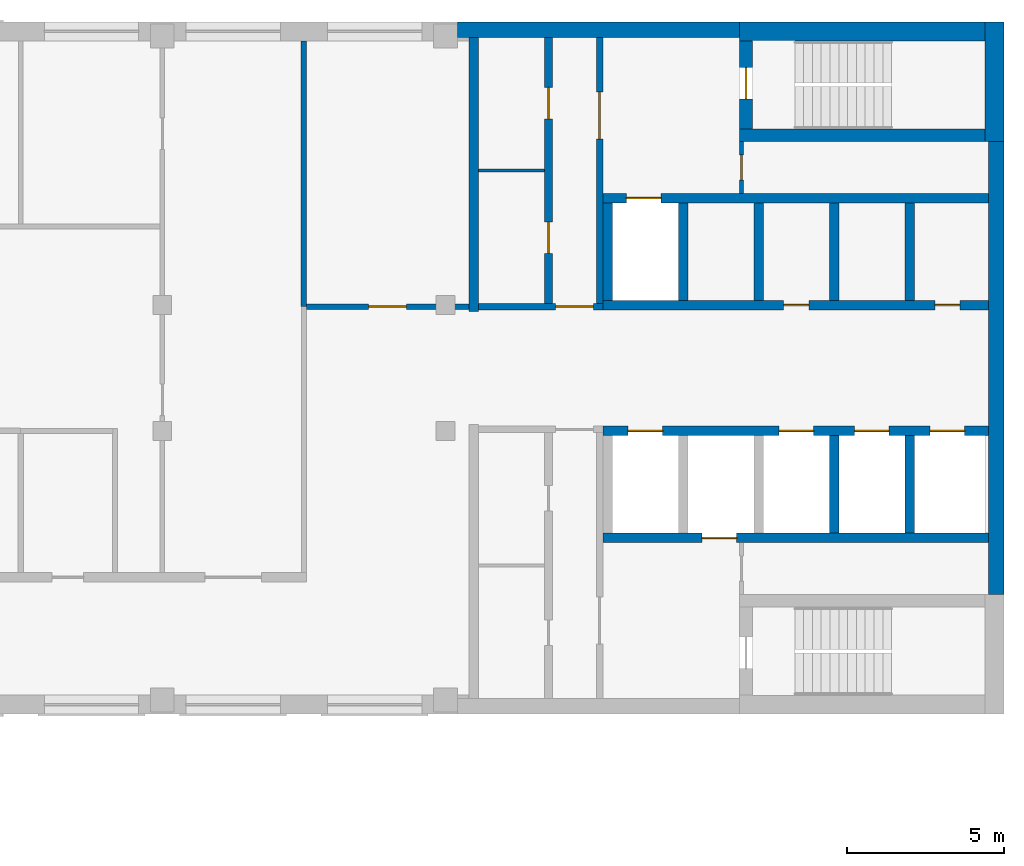
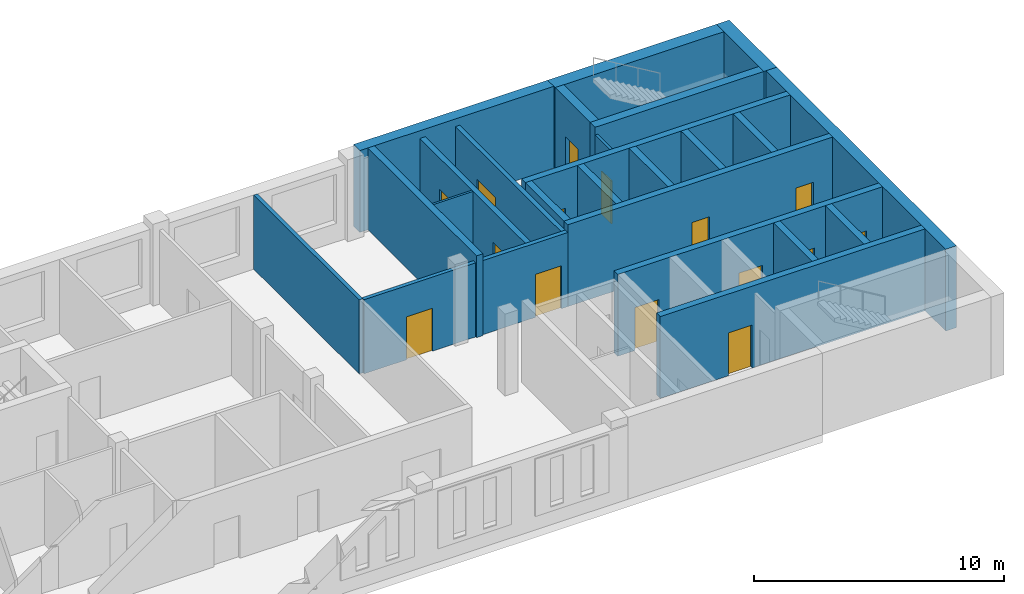
# One storey, part 6 of 8: 25 walls, 15 doors, 15 openings.
"""IFC4 building model written with IfcOpenShell, lengths in metres."""

from ifc_helpers import new_model, si_unit, direction, frame, frame_2d, origin, place, context, subcontext, project, spatial, rectangle, extrude, material, layer, layer_set, type_object, element, fill, save


model = new_model("IFC4")

# Units and contexts
model_context = context("Model", 3, precision=1e-05, world=origin(), true_north=direction((0.0, 1.0)))
body_context = subcontext(model_context, "Body", "Model", "MODEL_VIEW")
ifc_project = project(units=[si_unit("LENGTHUNIT", "METRE"), si_unit("AREAUNIT", "SQUARE_METRE"), si_unit("VOLUMEUNIT", "CUBIC_METRE"), si_unit("PLANEANGLEUNIT", "RADIAN"), si_unit("MASSUNIT", "GRAM", prefix="KILO")], contexts=[model_context])

# Site, building, storey
site_placement = place(None, origin())
site = spatial("IfcSite", under=ifc_project, at=site_placement, CompositionType="ELEMENT")
building_placement = place(site_placement, origin())
building = spatial("IfcBuilding", under=site, at=building_placement, Name="Skarvind Civic Tower", CompositionType="ELEMENT")
storey_placement = place(building_placement, frame((0.0, 0.0, 224.0)))
storey = spatial("IfcBuildingStorey", under=building, at=storey_placement, Name="L53", CompositionType="ELEMENT", Elevation=224.0)

# Wall
ifc_material_1 = material(Name="Acoustic gypsum board on steel studs", Category="steel")
ifc_layer_1 = layer(ifc_material_1, 0.175048828125)
ifc_layer_set_1 = layer_set([ifc_layer_1], Name="ACOUSTIC MEETING-ROOM PARTITION 175")
wall_type_1 = type_object("IfcWallType", Name="ACOUSTIC MEETING-ROOM PARTITION 175", PredefinedType="PARTITIONING", material=ifc_layer_set_1)
wall_1_placement = place(storey_placement, frame((85.75, 129.949951171875, 0.0), z_axis=(0.0, 0.0, 1.0), x_axis=(0.0, 1.0, 0.0)))
element("IfcWall", 1, at=wall_1_placement, inside=storey, type_object=wall_type_1, Name="Partition 53.038", PredefinedType="PARTITIONING", context=body_context, shape_type="SweptSolid", body=[
    extrude(rectangle(XDim=8.449951171875, YDim=0.175048828125, at=frame_2d((4.22509765625, 0.0))), origin(), (0.0, 0.0, 1.0), 3.625),
])

# Wall, opening, door
wall_2_placement = place(storey_placement, frame((85.837890625, 129.949951171875, 0.0), z_axis=(0.0, 0.0, 1.0), x_axis=(1.0, 0.0, 0.0)))
wall_2 = element("IfcWall", 2, at=wall_2_placement, inside=storey, type_object=wall_type_1, Name="Partition 53.039", PredefinedType="PARTITIONING", context=body_context, shape_type="SweptSolid", body=[
    extrude(rectangle(XDim=5.162109375, YDim=0.175048828125, at=frame_2d((2.5810546875, 0.0))), origin(), (0.0, 0.0, 1.0), 3.625),
])
opening_1_placement = place(wall_2_placement, frame((1.970947265625, 0.0, 0.0)))
opening_1 = element("IfcOpeningElement", 3, at=opening_1_placement, cuts=wall_2, Name="Opening L53-D001", PredefinedType="OPENING", context=body_context, shape_type="SweptSolid", body=[
    extrude(rectangle(XDim=1.199951171875, YDim=2.10009765625, at=frame_2d((0.60009765625, 1.050048828125))), frame((0.0, 0.097412109375, 0.0), z_axis=(0.0, -1.0, 0.0), x_axis=(1.0, 0.0, 0.0)), (0.0, 0.0, 1.0), 0.195068359375),
])
ifc_material_2 = material(Name="Timber door leaf", Category="wood")
door_type_1 = type_object("IfcDoorType", Name="DOOR 1200X2100 DOUBLE TIMBER", OperationType="NOTDEFINED", PredefinedType="DOOR", material=ifc_material_2)
door_1_placement = place(opening_1_placement, origin())
door_1 = element("IfcDoor", 4, at=door_1_placement, inside=storey, type_object=door_type_1, Name="Door L53-D001", OperationType="DOUBLE_DOOR_SINGLE_SWING", OverallHeight=2.10009765625, OverallWidth=1.199951171875, PredefinedType="DOOR", context=body_context, shape_type="SweptSolid", body=[
    extrude(rectangle(XDim=1.199951171875, YDim=2.10009765625, at=frame_2d((0.60009765625, 1.050048828125))), frame((0.0, 0.02490234375, 0.0), z_axis=(0.0, -1.0, 0.0), x_axis=(1.0, 0.0, 0.0)), (0.0, 0.0, 1.0), 0.050048828125),
])
fill(opening_1, door_1)

ifc_material_3 = material(Name="Fire-rated masonry partition", Category="masonry")
ifc_layer_2 = layer(ifc_material_3, 0.199951171875)
ifc_layer_set_2 = layer_set([ifc_layer_2], Name="Core enclosure wall 200")
wall_type_2 = type_object("IfcWallType", Name="Core enclosure wall 200", PredefinedType="PARTITIONING", material=ifc_layer_set_2)
wall_3_placement = place(storey_placement, frame((91.300048828125, 129.949951171875, 0.0), z_axis=(0.0, 0.0, 1.0), x_axis=(1.0, 0.0, 0.0)))
wall_3 = element("IfcWall", 5, at=wall_3_placement, inside=storey, type_object=wall_type_2, Name="Core wall C1", PredefinedType="PARTITIONING", context=body_context, shape_type="SweptSolid", body=[
    extrude(rectangle(XDim=3.949951171875, YDim=0.199951171875, at=frame_2d((1.97509765625, 0.0))), origin(), (0.0, 0.0, 1.0), 3.625),
])
opening_2_placement = place(wall_3_placement, frame((2.449951171875, 0.0, 0.0)))
opening_2 = element("IfcOpeningElement", 6, at=opening_2_placement, cuts=wall_3, Name="Opening D-L53-C1-13", PredefinedType="OPENING", context=body_context, shape_type="SweptSolid", body=[
    extrude(rectangle(XDim=1.199951171875, YDim=2.10009765625, at=frame_2d((0.60009765625, 1.050048828125))), frame((0.0, 0.10986328125, 0.0), z_axis=(0.0, -1.0, 0.0), x_axis=(1.0, 0.0, 0.0)), (0.0, 0.0, 1.0), 0.219970703125),
])
ifc_material_4 = material(Name="Fire-rated steel door", Category="steel")
door_type_2 = type_object("IfcDoorType", Name="Core lobby door 1200", OperationType="NOTDEFINED", PredefinedType="DOOR", material=ifc_material_4)
door_2_placement = place(opening_2_placement, origin())
door_2 = element("IfcDoor", 7, at=door_2_placement, inside=storey, type_object=door_type_2, Name="Fire door", OperationType="DOUBLE_DOOR_SINGLE_SWING", OverallHeight=2.10009765625, OverallWidth=1.199951171875, PredefinedType="DOOR", context=body_context, shape_type="SweptSolid", body=[
    extrude(rectangle(XDim=1.199951171875, YDim=2.10009765625, at=frame_2d((0.60009765625, 1.050048828125))), frame((0.0, 0.02490234375, 0.0), z_axis=(0.0, -1.0, 0.0), x_axis=(1.0, 0.0, 0.0)), (0.0, 0.0, 1.0), 0.050048828125),
])
fill(opening_2, door_2)

wall_4_placement = place(storey_placement, frame((95.14990234375, 130.050048828125, 0.0), z_axis=(0.0, 0.0, 1.0), x_axis=(0.0, 1.0, 0.0)))
wall_4 = element("IfcWall", 8, at=wall_4_placement, inside=storey, type_object=wall_type_2, Name="Core wall C1", PredefinedType="PARTITIONING", context=body_context, shape_type="SweptSolid", body=[
    extrude(rectangle(XDim=8.449951171875, YDim=0.199951171875, at=frame_2d((4.22509765625, 0.0))), origin(), (0.0, 0.0, 1.0), 3.625),
])
opening_3_placement = place(wall_4_placement, frame((5.22509765625, 0.0, 0.0)))
opening_3 = element("IfcOpeningElement", 9, at=opening_3_placement, cuts=wall_4, Name="Opening D-L53-C1-14", PredefinedType="OPENING", context=body_context, shape_type="SweptSolid", body=[
    extrude(rectangle(XDim=1.5, YDim=2.10009765625, at=frame_2d((0.75, 1.050048828125))), frame((0.0, 0.10986328125, 0.0), z_axis=(0.0, -1.0, 0.0), x_axis=(1.0, 0.0, 0.0)), (0.0, 0.0, 1.0), 0.219970703125),
])
door_type_3 = type_object("IfcDoorType", Name="Fire door 1500", OperationType="NOTDEFINED", PredefinedType="DOOR", material=ifc_material_4)
door_3_placement = place(opening_3_placement, origin())
door_3 = element("IfcDoor", 10, at=door_3_placement, inside=storey, type_object=door_type_3, Name="Fire door", OperationType="DOUBLE_DOOR_SINGLE_SWING", OverallHeight=2.10009765625, OverallWidth=1.5, PredefinedType="DOOR", context=body_context, shape_type="SweptSolid", body=[
    extrude(rectangle(XDim=1.5, YDim=2.10009765625, at=frame_2d((0.75, 1.050048828125))), frame((0.0, 0.02490234375, 0.0), z_axis=(0.0, -1.0, 0.0), x_axis=(1.0, 0.0, 0.0)), (0.0, 0.0, 1.0), 0.050048828125),
])
fill(opening_3, door_3)

# Wall
ifc_material_5 = material(Name="Fire-rated plasterboard partition")
ifc_layer_3 = layer(ifc_material_5, 0.10009765625)
ifc_layer_set_3 = layer_set([ifc_layer_3], Name="Core partition wall 100")
wall_type_3 = type_object("IfcWallType", Name="Core partition wall 100", PredefinedType="PARTITIONING", material=ifc_layer_set_3)
wall_5_placement = place(storey_placement, frame((91.300048828125, 134.280029296875, 0.0), z_axis=(0.0, 0.0, 1.0), x_axis=(1.0, 0.0, 0.0)))
element("IfcWall", 11, at=wall_5_placement, inside=storey, type_object=wall_type_3, Name="Core wall C1", PredefinedType="PARTITIONING", context=body_context, shape_type="SweptSolid", body=[
    extrude(rectangle(XDim=2.099853515625, YDim=0.10009765625, at=frame_2d((1.0498046875, 0.0))), origin(), (0.0, 0.0, 1.0), 3.625),
])

# Wall, openings, doors
ifc_material_6 = material(Name="Concrete C60", Category="concrete")
ifc_layer_4 = layer(ifc_material_6, 0.300048828125)
ifc_layer_set_4 = layer_set([ifc_layer_4], Name="Core wall 300 C60")
wall_type_4 = type_object("IfcWallType", Name="Core wall 300 C60", PredefinedType="SHEAR", material=ifc_layer_set_4)
wall_6_placement = place(storey_placement, frame((107.5, 130.0, 0.0), z_axis=(0.0, 0.0, 1.0), x_axis=(-1.0, 0.0, 0.0)))
wall_6 = element("IfcWall", 12, at=wall_6_placement, inside=storey, type_object=wall_type_4, Name="Core wall C1 south lift row front L53", PredefinedType="SHEAR", context=body_context, shape_type="SweptSolid", body=[
    extrude(rectangle(XDim=12.25, YDim=0.300048828125, at=frame_2d((6.125, 0.0))), origin(), (0.0, 0.0, 1.0), 4.0),
])
opening_4_placement = place(wall_6_placement, frame((0.89990234375, 0.0, 0.0)))
opening_4 = element("IfcOpeningElement", 13, at=opening_4_placement, cuts=wall_6, Name="Opening D-L53-C1-05", PredefinedType="OPENING", context=body_context, shape_type="SweptSolid", body=[
    extrude(rectangle(XDim=0.800048828125, YDim=2.10009765625, at=frame_2d((0.39990234375, 1.050048828125))), frame((0.0, 0.159912109375, 0.0), z_axis=(0.0, -1.0, 0.0), x_axis=(1.0, 0.0, 0.0)), (0.0, 0.0, 1.0), 0.320068359375),
])
opening_5_placement = place(wall_6_placement, frame((5.699951171875, 0.0, 0.0)))
opening_5 = element("IfcOpeningElement", 14, at=opening_5_placement, cuts=wall_6, Name="Opening D-L53-C1-06", PredefinedType="OPENING", context=body_context, shape_type="SweptSolid", body=[
    extrude(rectangle(XDim=0.800048828125, YDim=2.10009765625, at=frame_2d((0.39990234375, 1.050048828125))), frame((0.0, 0.159912109375, 0.0), z_axis=(0.0, -1.0, 0.0), x_axis=(1.0, 0.0, 0.0)), (0.0, 0.0, 1.0), 0.320068359375),
])
door_type_4 = type_object("IfcDoorType", Name="Core riser door 800", OperationType="NOTDEFINED", PredefinedType="DOOR", material=ifc_material_4)
door_4_placement = place(opening_4_placement, origin())
door_4 = element("IfcDoor", 15, at=door_4_placement, inside=storey, type_object=door_type_4, Name="Riser door", OperationType="SINGLE_SWING_LEFT", OverallHeight=2.10009765625, OverallWidth=0.800048828125, PredefinedType="DOOR", context=body_context, shape_type="SweptSolid", body=[
    extrude(rectangle(XDim=0.800048828125, YDim=2.10009765625, at=frame_2d((0.39990234375, 1.050048828125))), frame((0.0, 0.02490234375, 0.0), z_axis=(0.0, -1.0, 0.0), x_axis=(1.0, 0.0, 0.0)), (0.0, 0.0, 1.0), 0.050048828125),
])
fill(opening_4, door_4)
door_5_placement = place(opening_5_placement, origin())
door_5 = element("IfcDoor", 16, at=door_5_placement, inside=storey, type_object=door_type_4, Name="Riser door", OperationType="SINGLE_SWING_RIGHT", OverallHeight=2.10009765625, OverallWidth=0.800048828125, PredefinedType="DOOR", context=body_context, shape_type="SweptSolid", body=[
    extrude(rectangle(XDim=0.800048828125, YDim=2.10009765625, at=frame_2d((0.39990234375, 1.050048828125))), frame((0.0, 0.02490234375, 0.0), z_axis=(0.0, -1.0, 0.0), x_axis=(1.0, 0.0, 0.0)), (0.0, 0.0, 1.0), 0.050048828125),
])
fill(opening_5, door_5)

# Wall, opening, door
wall_7_placement = place(storey_placement, frame((107.5, 133.39990234375, 0.0), z_axis=(0.0, 0.0, 1.0), x_axis=(-1.0, 0.0, 0.0)))
wall_7 = element("IfcWall", 17, at=wall_7_placement, inside=storey, type_object=wall_type_4, Name="Core wall C1 south lift row back L53", PredefinedType="SHEAR", context=body_context, shape_type="SweptSolid", body=[
    extrude(rectangle(XDim=12.25, YDim=0.300048828125, at=frame_2d((6.125, 0.0))), origin(), (0.0, 0.0, 1.0), 4.0),
])
opening_6_placement = place(wall_7_placement, frame((10.39990234375, 0.0, 0.0)))
opening_6 = element("IfcOpeningElement", 18, at=opening_6_placement, cuts=wall_7, Name="Opening LD55110", PredefinedType="OPENING", context=body_context, shape_type="SweptSolid", body=[
    extrude(rectangle(XDim=1.10009765625, YDim=2.10009765625, at=frame_2d((0.550048828125, 1.050048828125))), frame((0.0, 0.159912109375, 0.0), z_axis=(0.0, -1.0, 0.0), x_axis=(1.0, 0.0, 0.0)), (0.0, 0.0, 1.0), 0.320068359375),
])
ifc_material_7 = material(Name="Stainless steel landing door", Category="steel")
door_type_5 = type_object("IfcDoorType", Name="Lift landing door 1100", OperationType="DOUBLE_DOOR_SLIDING", PredefinedType="DOOR", material=ifc_material_7)
door_6_placement = place(opening_6_placement, origin())
door_6 = element("IfcDoor", 19, at=door_6_placement, inside=storey, type_object=door_type_5, Name="Lift landing door", OperationType="DOUBLE_DOOR_SLIDING", OverallHeight=2.10009765625, OverallWidth=1.10009765625, PredefinedType="DOOR", context=body_context, shape_type="SweptSolid", body=[
    extrude(rectangle(XDim=1.10009765625, YDim=2.10009765625, at=frame_2d((0.550048828125, 1.050048828125))), frame((0.0, 0.02490234375, 0.0), z_axis=(0.0, -1.0, 0.0), x_axis=(1.0, 0.0, 0.0)), (0.0, 0.0, 1.0), 0.050048828125),
])
fill(opening_6, door_6)

# Walls
for number, where, z_axis, x_axis, name in (
    (20, (105.0, 133.25, 0.0), (0.0, 0.0, 1.0), (0.0, -1.0, 0.0), "Core wall C1 south lift row division 1 L53"),
    (21, (102.60009765625, 133.25, 0.0), (0.0, 0.0, 1.0), (0.0, -1.0, 0.0), "Core wall C1 south lift row division 2 L53"),
    (22, (100.199951171875, 133.25, 0.0), (0.0, 0.0, 1.0), (0.0, -1.0, 0.0), "Core wall C1 south lift row division 3 L53"),
    (23, (97.800048828125, 133.25, 0.0), (0.0, 0.0, 1.0), (0.0, -1.0, 0.0), "Core wall C1 south lift row division 4 L53"),
    (24, (95.39990234375, 133.25, 0.0), (0.0, 0.0, 1.0), (0.0, -1.0, 0.0), "Core wall C1 south lift row division 5 L53"),
):
    element("IfcWall", number, at=place(storey_placement, frame(where, z_axis=z_axis, x_axis=x_axis)), inside=storey, type_object=wall_type_4, Name=name, PredefinedType="SHEAR", context=body_context, shape_type="SweptSolid", body=[
        extrude(rectangle(XDim=3.10009765625, YDim=0.300048828125, at=frame_2d((1.550048828125, 0.0))), origin(), (0.0, 0.0, 1.0), 4.0),
    ])

# Wall, openings, doors
wall_8_placement = place(storey_placement, frame((107.5, 126.0, 0.0), z_axis=(0.0, 0.0, 1.0), x_axis=(-1.0, 0.0, 0.0)))
wall_8 = element("IfcWall", 25, at=wall_8_placement, inside=storey, type_object=wall_type_4, Name="Core wall C1 north lift row front L53", PredefinedType="SHEAR", context=body_context, shape_type="SweptSolid", body=[
    extrude(rectangle(XDim=12.25, YDim=0.300048828125, at=frame_2d((6.125, 0.0))), origin(), (0.0, 0.0, 1.0), 4.0),
])
opening_7_placement = place(wall_8_placement, frame((0.75, 0.0, 0.0)))
opening_7 = element("IfcOpeningElement", 26, at=opening_7_placement, cuts=wall_8, Name="Opening LD55101", PredefinedType="OPENING", context=body_context, shape_type="SweptSolid", body=[
    extrude(rectangle(XDim=1.10009765625, YDim=2.10009765625, at=frame_2d((0.550048828125, 1.050048828125))), frame((0.0, 0.159912109375, 0.0), z_axis=(0.0, -1.0, 0.0), x_axis=(1.0, 0.0, 0.0)), (0.0, 0.0, 1.0), 0.320068359375),
])
opening_8_placement = place(wall_8_placement, frame((3.14990234375, 0.0, 0.0)))
opening_8 = element("IfcOpeningElement", 27, at=opening_8_placement, cuts=wall_8, Name="Opening LD55102", PredefinedType="OPENING", context=body_context, shape_type="SweptSolid", body=[
    extrude(rectangle(XDim=1.10009765625, YDim=2.10009765625, at=frame_2d((0.550048828125, 1.050048828125))), frame((0.0, 0.159912109375, 0.0), z_axis=(0.0, -1.0, 0.0), x_axis=(1.0, 0.0, 0.0)), (0.0, 0.0, 1.0), 0.320068359375),
])
opening_9_placement = place(wall_8_placement, frame((5.550048828125, 0.0, 0.0)))
opening_9 = element("IfcOpeningElement", 28, at=opening_9_placement, cuts=wall_8, Name="Opening LD55103", PredefinedType="OPENING", context=body_context, shape_type="SweptSolid", body=[
    extrude(rectangle(XDim=1.10009765625, YDim=2.10009765625, at=frame_2d((0.550048828125, 1.050048828125))), frame((0.0, 0.159912109375, 0.0), z_axis=(0.0, -1.0, 0.0), x_axis=(1.0, 0.0, 0.0)), (0.0, 0.0, 1.0), 0.320068359375),
])
opening_10_placement = place(wall_8_placement, frame((10.35009765625, 0.0, 0.0)))
opening_10 = element("IfcOpeningElement", 29, at=opening_10_placement, cuts=wall_8, Name="Opening LD55105", PredefinedType="OPENING", context=body_context, shape_type="SweptSolid", body=[
    extrude(rectangle(XDim=1.10009765625, YDim=2.10009765625, at=frame_2d((0.550048828125, 1.050048828125))), frame((0.0, 0.159912109375, 0.0), z_axis=(0.0, -1.0, 0.0), x_axis=(1.0, 0.0, 0.0)), (0.0, 0.0, 1.0), 0.320068359375),
])
door_7_placement = place(opening_7_placement, origin())
door_7 = element("IfcDoor", 30, at=door_7_placement, inside=storey, type_object=door_type_5, Name="Lift landing door", OperationType="DOUBLE_DOOR_SLIDING", OverallHeight=2.10009765625, OverallWidth=1.10009765625, PredefinedType="DOOR", context=body_context, shape_type="SweptSolid", body=[
    extrude(rectangle(XDim=1.10009765625, YDim=2.10009765625, at=frame_2d((0.550048828125, 1.050048828125))), frame((0.0, 0.02490234375, 0.0), z_axis=(0.0, -1.0, 0.0), x_axis=(1.0, 0.0, 0.0)), (0.0, 0.0, 1.0), 0.050048828125),
])
fill(opening_7, door_7)
door_8_placement = place(opening_8_placement, origin())
door_8 = element("IfcDoor", 31, at=door_8_placement, inside=storey, type_object=door_type_5, Name="Lift landing door", OperationType="DOUBLE_DOOR_SLIDING", OverallHeight=2.10009765625, OverallWidth=1.10009765625, PredefinedType="DOOR", context=body_context, shape_type="SweptSolid", body=[
    extrude(rectangle(XDim=1.10009765625, YDim=2.10009765625, at=frame_2d((0.550048828125, 1.050048828125))), frame((0.0, 0.02490234375, 0.0), z_axis=(0.0, -1.0, 0.0), x_axis=(1.0, 0.0, 0.0)), (0.0, 0.0, 1.0), 0.050048828125),
])
fill(opening_8, door_8)
door_9_placement = place(opening_9_placement, origin())
door_9 = element("IfcDoor", 32, at=door_9_placement, inside=storey, type_object=door_type_5, Name="Lift landing door", OperationType="DOUBLE_DOOR_SLIDING", OverallHeight=2.10009765625, OverallWidth=1.10009765625, PredefinedType="DOOR", context=body_context, shape_type="SweptSolid", body=[
    extrude(rectangle(XDim=1.10009765625, YDim=2.10009765625, at=frame_2d((0.550048828125, 1.050048828125))), frame((0.0, 0.02490234375, 0.0), z_axis=(0.0, -1.0, 0.0), x_axis=(1.0, 0.0, 0.0)), (0.0, 0.0, 1.0), 0.050048828125),
])
fill(opening_9, door_9)
door_10_placement = place(opening_10_placement, origin())
door_10 = element("IfcDoor", 33, at=door_10_placement, inside=storey, type_object=door_type_5, Name="Lift landing door", OperationType="DOUBLE_DOOR_SLIDING", OverallHeight=2.10009765625, OverallWidth=1.10009765625, PredefinedType="DOOR", context=body_context, shape_type="SweptSolid", body=[
    extrude(rectangle(XDim=1.10009765625, YDim=2.10009765625, at=frame_2d((0.550048828125, 1.050048828125))), frame((0.0, 0.02490234375, 0.0), z_axis=(0.0, -1.0, 0.0), x_axis=(1.0, 0.0, 0.0)), (0.0, 0.0, 1.0), 0.050048828125),
])
fill(opening_10, door_10)

# Wall, opening, door
wall_9_placement = place(storey_placement, frame((107.5, 122.60009765625, 0.0), z_axis=(0.0, 0.0, 1.0), x_axis=(-1.0, 0.0, 0.0)))
wall_9 = element("IfcWall", 34, at=wall_9_placement, inside=storey, type_object=wall_type_4, Name="Core wall C1 north lift row back L53", PredefinedType="SHEAR", context=body_context, shape_type="SweptSolid", body=[
    extrude(rectangle(XDim=12.25, YDim=0.300048828125, at=frame_2d((6.125, 0.0))), origin(), (0.0, 0.0, 1.0), 4.0),
])
opening_11_placement = place(wall_9_placement, frame((8.0, 0.0, 0.0)))
opening_11 = element("IfcOpeningElement", 35, at=opening_11_placement, cuts=wall_9, Name="Opening LD55104", PredefinedType="OPENING", context=body_context, shape_type="SweptSolid", body=[
    extrude(rectangle(XDim=1.10009765625, YDim=2.10009765625, at=frame_2d((0.550048828125, 1.050048828125))), frame((0.0, 0.159912109375, 0.0), z_axis=(0.0, -1.0, 0.0), x_axis=(1.0, 0.0, 0.0)), (0.0, 0.0, 1.0), 0.320068359375),
])
door_11_placement = place(opening_11_placement, origin())
door_11 = element("IfcDoor", 36, at=door_11_placement, inside=storey, type_object=door_type_5, Name="Lift landing door", OperationType="DOUBLE_DOOR_SLIDING", OverallHeight=2.10009765625, OverallWidth=1.10009765625, PredefinedType="DOOR", context=body_context, shape_type="SweptSolid", body=[
    extrude(rectangle(XDim=1.10009765625, YDim=2.10009765625, at=frame_2d((0.550048828125, 1.050048828125))), frame((0.0, 0.02490234375, 0.0), z_axis=(0.0, -1.0, 0.0), x_axis=(1.0, 0.0, 0.0)), (0.0, 0.0, 1.0), 0.050048828125),
])
fill(opening_11, door_11)

# Walls
for number, where, z_axis, x_axis, name in (
    (37, (105.0, 125.85009765625, 0.0), (0.0, 0.0, 1.0), (0.0, -1.0, 0.0), "Core wall C1 north lift row division 1 L53"),
    (38, (102.60009765625, 125.85009765625, 0.0), (0.0, 0.0, 1.0), (0.0, -1.0, 0.0), "Core wall C1 north lift row division 2 L53"),
):
    element("IfcWall", number, at=place(storey_placement, frame(where, z_axis=z_axis, x_axis=x_axis)), inside=storey, type_object=wall_type_4, Name=name, PredefinedType="SHEAR", context=body_context, shape_type="SweptSolid", body=[
        extrude(rectangle(XDim=3.10009765625, YDim=0.300048828125, at=frame_2d((1.550048828125, 0.0))), origin(), (0.0, 0.0, 1.0), 4.0),
    ])
wall_10_placement = place(storey_placement, frame((91.14990234375, 138.5, 0.0), z_axis=(0.0, 0.0, 1.0), x_axis=(0.0, -1.0, 0.0)))
element("IfcWall", 39, at=wall_10_placement, inside=storey, type_object=wall_type_4, Name="Core wall C1 south inner face L53", PredefinedType="SHEAR", context=body_context, shape_type="SweptSolid", body=[
    extrude(rectangle(XDim=8.699951171875, YDim=0.300048828125, at=frame_2d((4.35009765625, 0.0))), origin(), (0.0, 0.0, 1.0), 4.0),
])
ifc_layer_5 = layer(ifc_material_6, 0.39990234375)
ifc_layer_set_5 = layer_set([ifc_layer_5], Name="Core wall 400 C60")
wall_type_5 = type_object("IfcWallType", Name="Core wall 400 C60", PredefinedType="SHEAR", material=ifc_layer_set_5)
wall_11_placement = place(storey_placement, frame((107.39990234375, 135.39990234375, 0.0), z_axis=(0.0, 0.0, 1.0), x_axis=(-1.0, 0.0, 0.0)))
element("IfcWall", 40, at=wall_11_placement, inside=storey, type_object=wall_type_5, Name="Core wall C1 south stair inner L53", PredefinedType="SHEAR", context=body_context, shape_type="SweptSolid", body=[
    extrude(rectangle(XDim=7.7998046875, YDim=0.39990234375, at=frame_2d((3.89990234375, 0.0))), origin(), (0.0, 0.0, 1.0), 4.0),
])

# Wall, opening, door
wall_12_placement = place(storey_placement, frame((99.800048828125, 138.39990234375, 0.0), z_axis=(0.0, 0.0, 1.0), x_axis=(0.0, -1.0, 0.0)))
wall_12 = element("IfcWall", 41, at=wall_12_placement, inside=storey, type_object=wall_type_5, Name="Core wall C1 south stair end L53", PredefinedType="SHEAR", context=body_context, shape_type="SweptSolid", body=[
    extrude(rectangle(XDim=2.7998046875, YDim=0.39990234375, at=frame_2d((1.39990234375, 0.0))), origin(), (0.0, 0.0, 1.0), 4.0),
])
opening_12_placement = place(wall_12_placement, frame((0.85009765625, 0.0, 0.0)))
opening_12 = element("IfcOpeningElement", 42, at=opening_12_placement, cuts=wall_12, Name="Opening D-L53-C1-15", PredefinedType="OPENING", context=body_context, shape_type="SweptSolid", body=[
    extrude(rectangle(XDim=1.0, YDim=2.10009765625, at=frame_2d((0.5, 1.050048828125))), frame((0.0, 0.2099609375, 0.0), z_axis=(0.0, -1.0, 0.0), x_axis=(1.0, 0.0, 0.0)), (0.0, 0.0, 1.0), 0.419921875),
])
door_type_6 = type_object("IfcDoorType", Name="Fire door 1000", OperationType="NOTDEFINED", PredefinedType="DOOR", material=ifc_material_4)
door_12_placement = place(opening_12_placement, origin())
door_12 = element("IfcDoor", 43, at=door_12_placement, inside=storey, type_object=door_type_6, Name="Fire door", OperationType="SINGLE_SWING_RIGHT", OverallHeight=2.10009765625, OverallWidth=1.0, PredefinedType="DOOR", context=body_context, shape_type="SweptSolid", body=[
    extrude(rectangle(XDim=1.0, YDim=2.10009765625, at=frame_2d((0.5, 1.050048828125))), frame((0.0, 0.02490234375, 0.0), z_axis=(0.0, -1.0, 0.0), x_axis=(1.0, 0.0, 0.0)), (0.0, 0.0, 1.0), 0.050048828125),
])
fill(opening_12, door_12)

# Walls
ifc_layer_6 = layer(ifc_material_6, 0.5)
ifc_layer_set_6 = layer_set([ifc_layer_6], Name="Core wall 500 C60")
wall_type_6 = type_object("IfcWallType", Name="Core wall 500 C60", PredefinedType="SHEAR", material=ifc_layer_set_6)
wall_13_placement = place(storey_placement, frame((107.75, 135.199951171875, 0.0), z_axis=(0.0, 0.0, 1.0), x_axis=(0.0, -1.0, 0.0)))
element("IfcWall", 44, at=wall_13_placement, inside=storey, type_object=wall_type_6, Name="Core wall C1 tip between the stairs L53", PredefinedType="SHEAR", context=body_context, shape_type="SweptSolid", body=[
    extrude(rectangle(XDim=14.39990234375, YDim=0.5, at=frame_2d((7.199951171875, 0.0))), origin(), (0.0, 0.0, 1.0), 4.0),
])
wall_14_placement = place(storey_placement, frame((99.60009765625, 138.75, 0.0), z_axis=(0.0, 0.0, 1.0), x_axis=(-1.0, 0.0, 0.0)))
element("IfcWall", 45, at=wall_14_placement, inside=storey, type_object=wall_type_6, Name="Core wall C1 south side L53", PredefinedType="SHEAR", context=body_context, shape_type="SweptSolid", body=[
    extrude(rectangle(XDim=8.97509765625, YDim=0.5, at=frame_2d((4.487548828125, 0.0))), origin(), (0.0, 0.0, 1.0), 4.0),
])
ifc_layer_7 = layer(ifc_material_6, 0.60009765625)
ifc_layer_set_7 = layer_set([ifc_layer_7], Name="Core wall 600 C60")
wall_type_7 = type_object("IfcWallType", Name="Core wall 600 C60", PredefinedType="SHEAR", material=ifc_layer_set_7)
wall_15_placement = place(storey_placement, frame((107.699951171875, 139.0, 0.0), z_axis=(0.0, 0.0, 1.0), x_axis=(0.0, -1.0, 0.0)))
element("IfcWall", 46, at=wall_15_placement, inside=storey, type_object=wall_type_7, Name="Core wall C1 tip at the south stair L53", PredefinedType="SHEAR", context=body_context, shape_type="SweptSolid", body=[
    extrude(rectangle(XDim=3.800048828125, YDim=0.60009765625, at=frame_2d((1.89990234375, 0.0))), origin(), (0.0, 0.0, 1.0), 4.0),
])
wall_16_placement = place(storey_placement, frame((107.39990234375, 138.699951171875, 0.0), z_axis=(0.0, 0.0, 1.0), x_axis=(-1.0, 0.0, 0.0)))
element("IfcWall", 47, at=wall_16_placement, inside=storey, type_object=wall_type_7, Name="Core wall C1 south side at the stair L53", PredefinedType="SHEAR", context=body_context, shape_type="SweptSolid", body=[
    extrude(rectangle(XDim=7.7998046875, YDim=0.60009765625, at=frame_2d((3.89990234375, 0.0))), origin(), (0.0, 0.0, 1.0), 4.0),
])

# Wall, opening, door
ifc_layer_8 = layer(ifc_material_3, 0.125)
ifc_layer_set_8 = layer_set([ifc_layer_8], Name="Riser wall 125")
wall_type_8 = type_object("IfcWallType", Name="Riser wall 125", PredefinedType="PARTITIONING", material=ifc_layer_set_8)
wall_17_placement = place(storey_placement, frame((99.66259765625, 133.550048828125, 0.0), z_axis=(0.0, 0.0, 1.0), x_axis=(0.0, 1.0, 0.0)))
wall_17 = element("IfcWall", 48, at=wall_17_placement, inside=storey, type_object=wall_type_8, Name="Core wall C1", PredefinedType="PARTITIONING", context=body_context, shape_type="SweptSolid", body=[
    extrude(rectangle(XDim=1.64990234375, YDim=0.125, at=frame_2d((0.824951171875, 0.0))), origin(), (0.0, 0.0, 1.0), 3.625),
])
opening_13_placement = place(wall_17_placement, frame((0.425048828125, 0.0, 0.0)))
opening_13 = element("IfcOpeningElement", 49, at=opening_13_placement, cuts=wall_17, Name="Opening D-L53-C1-16", PredefinedType="OPENING", context=body_context, shape_type="SweptSolid", body=[
    extrude(rectangle(XDim=0.800048828125, YDim=2.10009765625, at=frame_2d((0.39990234375, 1.050048828125))), frame((0.0, 0.072509765625, 0.0), z_axis=(0.0, -1.0, 0.0), x_axis=(1.0, 0.0, 0.0)), (0.0, 0.0, 1.0), 0.14501953125),
])
door_13_placement = place(opening_13_placement, origin())
door_13 = element("IfcDoor", 50, at=door_13_placement, inside=storey, type_object=door_type_4, Name="Riser door", OperationType="SINGLE_SWING_LEFT", OverallHeight=2.10009765625, OverallWidth=0.800048828125, PredefinedType="DOOR", context=body_context, shape_type="SweptSolid", body=[
    extrude(rectangle(XDim=0.800048828125, YDim=2.10009765625, at=frame_2d((0.39990234375, 1.050048828125))), frame((0.0, 0.02490234375, 0.0), z_axis=(0.0, -1.0, 0.0), x_axis=(1.0, 0.0, 0.0)), (0.0, 0.0, 1.0), 0.050048828125),
])
fill(opening_13, door_13)

# Wall, openings, doors
ifc_layer_9 = layer(ifc_material_3, 0.25)
ifc_layer_set_9 = layer_set([ifc_layer_9], Name="Service block wall 250")
wall_type_9 = type_object("IfcWallType", Name="Service block wall 250", PredefinedType="PARTITIONING", material=ifc_layer_set_9)
wall_18_placement = place(storey_placement, frame((93.52490234375, 130.050048828125, 0.0), z_axis=(0.0, 0.0, 1.0), x_axis=(0.0, 1.0, 0.0)))
wall_18 = element("IfcWall", 51, at=wall_18_placement, inside=storey, type_object=wall_type_9, Name="Core wall C1", PredefinedType="PARTITIONING", context=body_context, shape_type="SweptSolid", body=[
    extrude(rectangle(XDim=8.449951171875, YDim=0.25, at=frame_2d((4.22509765625, 0.0))), origin(), (0.0, 0.0, 1.0), 3.625),
])
opening_14_placement = place(wall_18_placement, frame((1.590087890625, 0.0, 0.0)))
opening_14 = element("IfcOpeningElement", 52, at=opening_14_placement, cuts=wall_18, Name="Opening D-L53-C1-17", PredefinedType="OPENING", context=body_context, shape_type="SweptSolid", body=[
    extrude(rectangle(XDim=1.0, YDim=2.10009765625, at=frame_2d((0.5, 1.050048828125))), frame((0.0, 0.135009765625, 0.0), z_axis=(0.0, -1.0, 0.0), x_axis=(1.0, 0.0, 0.0)), (0.0, 0.0, 1.0), 0.27001953125),
])
opening_15_placement = place(wall_18_placement, frame((5.864990234375, 0.0, 0.0)))
opening_15 = element("IfcOpeningElement", 53, at=opening_15_placement, cuts=wall_18, Name="Opening D-L53-C1-18", PredefinedType="OPENING", context=body_context, shape_type="SweptSolid", body=[
    extrude(rectangle(XDim=1.0, YDim=2.10009765625, at=frame_2d((0.5, 1.050048828125))), frame((0.0, 0.135009765625, 0.0), z_axis=(0.0, -1.0, 0.0), x_axis=(1.0, 0.0, 0.0)), (0.0, 0.0, 1.0), 0.27001953125),
])
door_14_placement = place(opening_14_placement, origin())
door_14 = element("IfcDoor", 54, at=door_14_placement, inside=storey, type_object=door_type_6, Name="Fire door", OperationType="SINGLE_SWING_RIGHT", OverallHeight=2.10009765625, OverallWidth=1.0, PredefinedType="DOOR", context=body_context, shape_type="SweptSolid", body=[
    extrude(rectangle(XDim=1.0, YDim=2.10009765625, at=frame_2d((0.5, 1.050048828125))), frame((0.0, 0.02490234375, 0.0), z_axis=(0.0, -1.0, 0.0), x_axis=(1.0, 0.0, 0.0)), (0.0, 0.0, 1.0), 0.050048828125),
])
fill(opening_14, door_14)
door_15_placement = place(opening_15_placement, origin())
door_15 = element("IfcDoor", 55, at=door_15_placement, inside=storey, type_object=door_type_6, Name="Fire door", OperationType="SINGLE_SWING_LEFT", OverallHeight=2.10009765625, OverallWidth=1.0, PredefinedType="DOOR", context=body_context, shape_type="SweptSolid", body=[
    extrude(rectangle(XDim=1.0, YDim=2.10009765625, at=frame_2d((0.5, 1.050048828125))), frame((0.0, 0.02490234375, 0.0), z_axis=(0.0, -1.0, 0.0), x_axis=(1.0, 0.0, 0.0)), (0.0, 0.0, 1.0), 0.050048828125),
])
fill(opening_15, door_15)

save(model, "model.ifc")
